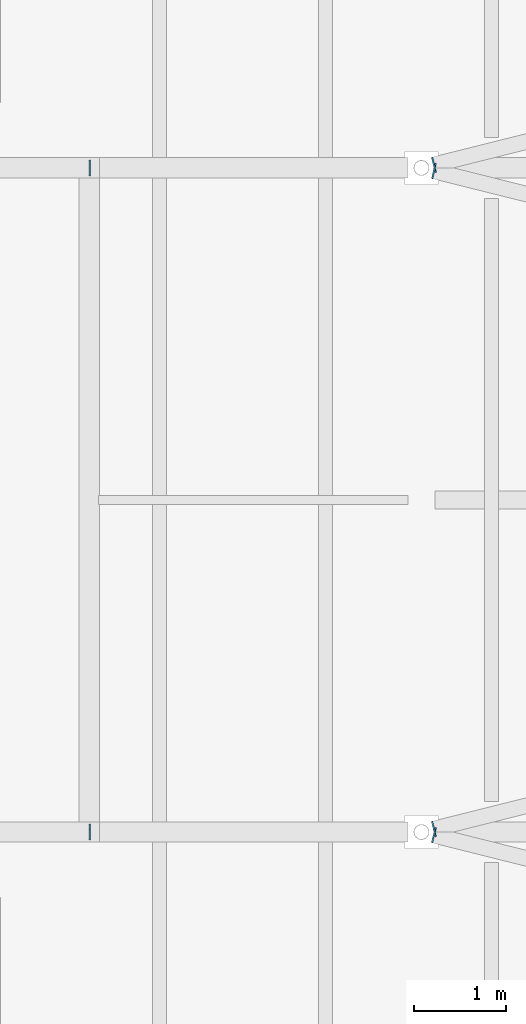
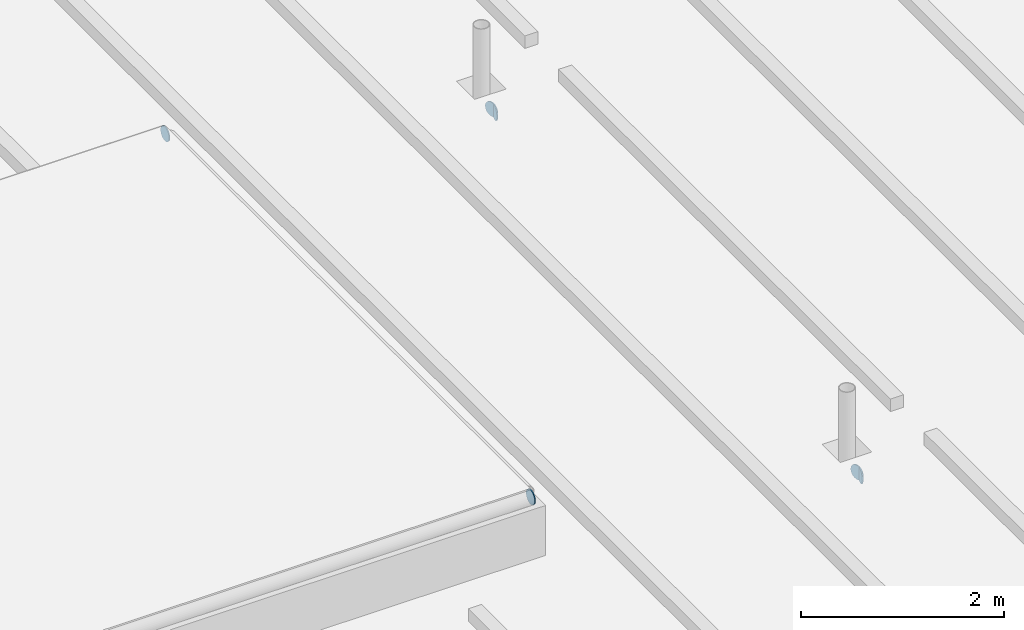
# One storey, part 81 of 120: 6 discrete accessories.
"""IFC4 building model written with IfcOpenShell, lengths in metres."""

from ifc_helpers import new_model, si_unit, direction, frame, origin, origin_2d, place, context, subcontext, project, spatial, circle, extrude, material, layer, layer_set, type_object, element, save


model = new_model("IFC4")

# Units and contexts
model_context = context("Model", 3, precision=1e-05, world=origin(), true_north=direction((0.0, 1.0)))
body_context = subcontext(model_context, "Body", "Model", "MODEL_VIEW")
ifc_project = project(units=[si_unit("LENGTHUNIT", "METRE"), si_unit("AREAUNIT", "SQUARE_METRE"), si_unit("VOLUMEUNIT", "CUBIC_METRE"), si_unit("PLANEANGLEUNIT", "RADIAN"), si_unit("MASSUNIT", "GRAM", prefix="KILO")], contexts=[model_context])

# Site, building, storey
site_placement = place(None, origin())
site = spatial("IfcSite", under=ifc_project, at=site_placement, CompositionType="ELEMENT")
building_placement = place(site_placement, origin())
building = spatial("IfcBuilding", under=site, at=building_placement, Name="Kupolbacken Congress Centre", CompositionType="ELEMENT")
storey_placement = place(building_placement, frame((0.0, 0.0, 21.60009765625)))
storey = spatial("IfcBuildingStorey", under=building, at=storey_placement, Name="L06", CompositionType="ELEMENT", Elevation=21.60009765625)

# Discrete accessories
ifc_material = material(Name="Steel S355", Category="steel")
ifc_layer = layer(ifc_material, 0.011962890625)
ifc_layer_set = layer_set([ifc_layer], Name="Steel S355")
discrete_accessory_type = type_object("IfcDiscreteAccessoryType", Name="EC2 tube end cap plate 168 dia x 12", PredefinedType="BRACKET", material=ifc_layer_set)
for number, where, z_axis, x_axis, name in (
    (1, (122.540771484375, 75.564697265625, -0.084228515625), (-0.970142500145, 0.242535625036, 0.0), (-0.242535625036, -0.970142500145, 0.0), "End cap plate HR/RB/03-08 B"),
    (2, (122.540771484375, 75.63525390625, -0.084228515625), (-0.970142500145, -0.242535625036, 0.0), (0.242535625036, -0.970142500145, 0.0), "End cap plate HR/RB/03-09 A"),
    (3, (122.540771484375, 82.764892578125, -0.084228515625), (-0.974732318528, 0.223376156329, 0.0), (-0.223376156329, -0.974732318528, 0.0), "End cap plate HR/RB/03-10 B"),
    (4, (122.540771484375, 82.835205078125, -0.084228515625), (-0.970142500145, -0.242535625036, 0.0), (0.242535625036, -0.970142500145, 0.0), "End cap plate HR/RB/03-11 A"),
    (5, (118.800048828125, 82.800048828125, 0.944091796875), (1.0, 0.0, 0.0), (0.0, 1.0, 0.0), "End cap plate RD/RL2/FN B"),
    (6, (118.800048828125, 75.60009765625, 0.944091796875), (1.0, 0.0, 0.0), (0.0, 1.0, 0.0), "End cap plate RD/RL2/FS B"),
):
    element("IfcDiscreteAccessory", number, at=place(storey_placement, frame(where, z_axis=z_axis, x_axis=x_axis)), inside=storey, type_object=discrete_accessory_type, Name=name, PredefinedType="BRACKET", context=body_context, shape_type="SweptSolid", body=[
        extrude(circle(Radius=0.084228515625, at=origin_2d()), origin(), (0.0, 0.0, 1.0), 0.011962890625),
    ])

save(model, "model.ifc")
